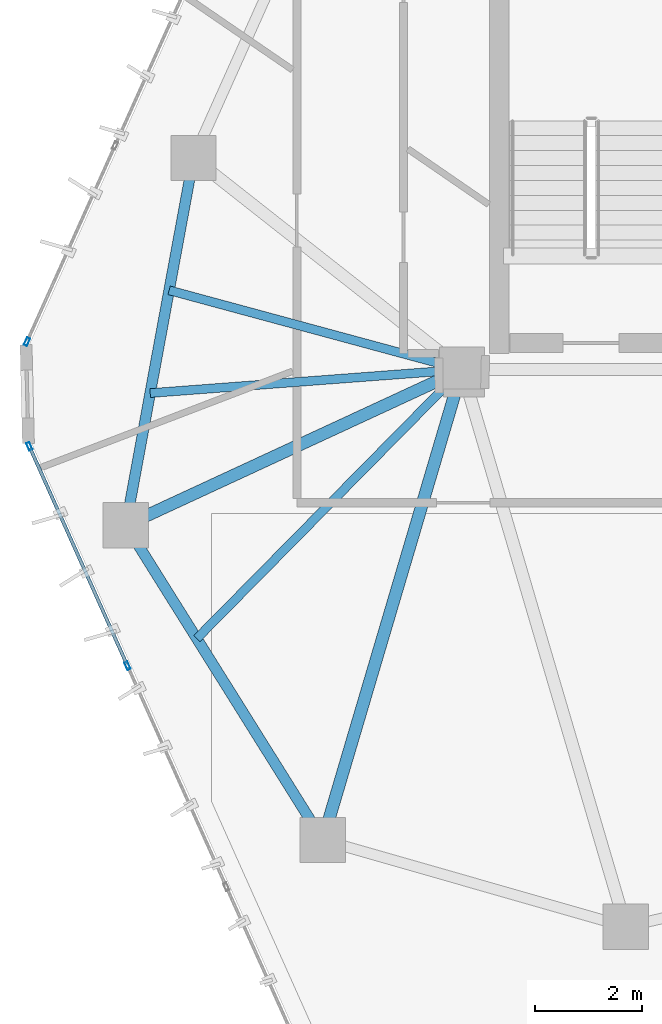
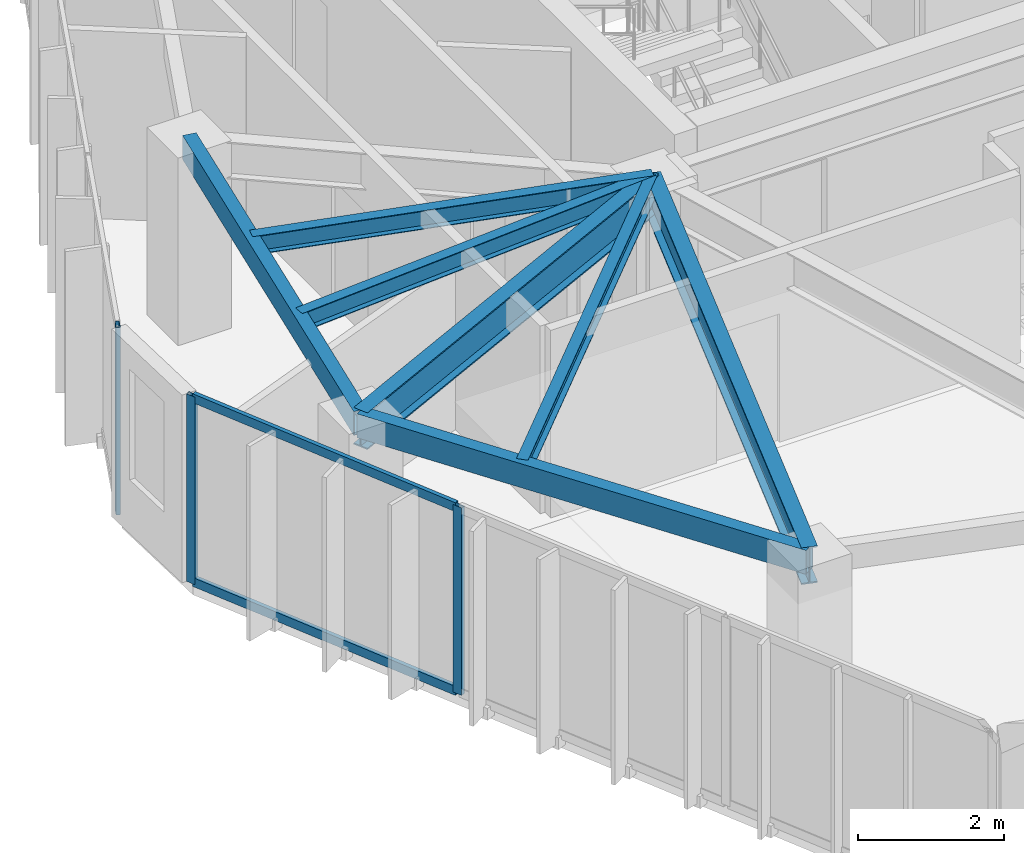
# One storey, part 4 of 20: 7 beams, 5 members, 2 elements without a shape of their own.
"""IFC4 building model written with IfcOpenShell, lengths in metres."""

from ifc_helpers import new_model, si_unit, direction, frame, origin, origin_2d, place, context, subcontext, project, spatial, hollow_rectangle, i_section, extrude, source, transform, mapped, material, layer, layer_set, material_profile, profile_set, type_object, type_shapes, element, aggregate, save


model = new_model("IFC4")

# Units and contexts
model_context = context("Model", 3, precision=1e-05, world=origin(), true_north=direction((0.0, 1.0)))
body_context = subcontext(model_context, "Body", "Model", "MODEL_VIEW")
ifc_project = project(units=[si_unit("LENGTHUNIT", "METRE"), si_unit("AREAUNIT", "SQUARE_METRE"), si_unit("VOLUMEUNIT", "CUBIC_METRE"), si_unit("PLANEANGLEUNIT", "RADIAN"), si_unit("MASSUNIT", "GRAM", prefix="KILO")], contexts=[model_context])

# Site, building, storey
site_placement = place(None, origin())
site = spatial("IfcSite", under=ifc_project, at=site_placement, CompositionType="ELEMENT")
building_placement = place(site_placement, origin())
building = spatial("IfcBuilding", under=site, at=building_placement, Name="Talar Marvaseh", CompositionType="ELEMENT")
storey_placement = place(building_placement, frame((0.0, 0.0, 278.199951171875)))
storey = spatial("IfcBuildingStorey", under=building, at=storey_placement, Name="L74", CompositionType="ELEMENT", Elevation=278.199951171875)

# Beams
ifc_material_1 = material(Name="Steel S355", Category="steel")
ifc_material_profile_1 = material_profile(ifc_material_1, hollow_rectangle(XDim=0.199951171875, YDim=0.39990234375, WallThickness=0.013916015625, at=origin_2d()), Name="RHS400x200x14")
ifc_profile_set_1 = profile_set([ifc_material_profile_1], Name="Steel S355")
beam_type_1 = type_object("IfcBeamType", Name="Zone 3 Perimeter Spandrel Beam RHS400x200x14", PredefinedType="SPANDREL", material=ifc_profile_set_1)
beam_1_placement = place(storey_placement, frame((12.388916015625, 22.576904296875, 2.93994140625), z_axis=(0.18106135948, 0.983471801377, 0.0), x_axis=(-0.983471801377, 0.18106135948, 0.0)))
element("IfcBeam", 1, at=beam_1_placement, inside=storey, type_object=beam_type_1, Name="L74 Zone 3 Perimeter Spandrel Beam RHS400x200x14", PredefinedType="SPANDREL", context=body_context, shape_type="SweptSolid", body=[
    extrude(hollow_rectangle(XDim=0.199951171875, YDim=0.39990234375, WallThickness=0.013916015625, at=origin_2d()), origin(), (0.0, 0.0, 1.0), 7.0087890625),
])
beam_2_placement = place(storey_placement, frame((16.0869140625, 16.66796875, 2.93994140625), z_axis=(-0.530505706813, 0.847681364098, 0.0), x_axis=(-0.847681364098, -0.530505706813, 0.0)))
element("IfcBeam", 2, at=beam_2_placement, inside=storey, type_object=beam_type_1, Name="L74 Zone 3 Perimeter Spandrel Beam RHS400x200x14", PredefinedType="SPANDREL", context=body_context, shape_type="SweptSolid", body=[
    extrude(hollow_rectangle(XDim=0.199951171875, YDim=0.39990234375, WallThickness=0.013916015625, at=origin_2d()), origin(), (0.0, 0.0, 1.0), 6.970703125),
])
ifc_material_profile_2 = material_profile(ifc_material_1, i_section(OverallWidth=0.166015625, OverallDepth=0.31298828125, WebThickness=0.006591796875, FlangeThickness=0.01123046875, at=origin_2d()), Name="W310x45")
ifc_profile_set_2 = profile_set([ifc_material_profile_2], Name="Steel S355")
beam_type_2 = type_object("IfcBeamType", Name="Zone 3 Secondary Floor Joist W310x45", PredefinedType="JOIST", material=ifc_profile_set_2)
beam_3_placement = place(storey_placement, frame((12.845703125, 25.05859375, 2.983642578125), z_axis=(0.997169535009, 0.075185892627, 0.0), x_axis=(-0.075185892627, 0.997169535009, 0.0)))
element("IfcBeam", 3, at=beam_3_placement, inside=storey, type_object=beam_type_2, Name="L74 Zone 3 Secondary Floor Joist W310x45", PredefinedType="JOIST", context=body_context, shape_type="SweptSolid", body=[
    extrude(i_section(OverallWidth=0.166015625, OverallDepth=0.31298828125, WebThickness=0.006591796875, FlangeThickness=0.01123046875, at=origin_2d()), origin(), (0.0, 0.0, 1.0), 5.870849609375),
])
beam_4_placement = place(storey_placement, frame((13.201171875, 26.988525390625, 2.983642578125), z_axis=(0.965258580671, -0.26129652206, 0.0), x_axis=(0.26129652206, 0.965258580671, 0.0)))
element("IfcBeam", 4, at=beam_4_placement, inside=storey, type_object=beam_type_2, Name="L74 Zone 3 Secondary Floor Joist W310x45", PredefinedType="JOIST", context=body_context, shape_type="SweptSolid", body=[
    extrude(i_section(OverallWidth=0.166015625, OverallDepth=0.31298828125, WebThickness=0.006591796875, FlangeThickness=0.01123046875, at=origin_2d()), origin(), (0.0, 0.0, 1.0), 5.69677734375),
])
beam_5_placement = place(storey_placement, frame((13.72021484375, 20.44970703125, 2.983642578125), z_axis=(0.702115238584, 0.712063334085, 0.0), x_axis=(-0.712063334085, 0.702115238584, 0.0)))
element("IfcBeam", 5, at=beam_5_placement, inside=storey, type_object=beam_type_2, Name="L74 Zone 3 Secondary Floor Joist W310x45", PredefinedType="JOIST", context=body_context, shape_type="SweptSolid", body=[
    extrude(i_section(OverallWidth=0.166015625, OverallDepth=0.31298828125, WebThickness=0.006591796875, FlangeThickness=0.01123046875, at=origin_2d()), origin(), (0.0, 0.0, 1.0), 7.092529296875),
])
ifc_material_profile_3 = material_profile(ifc_material_1, i_section(OverallWidth=0.22998046875, OverallDepth=0.616943359375, WebThickness=0.01318359375, FlangeThickness=0.022216796875, at=origin_2d()), Name="W610x140")
ifc_profile_set_3 = profile_set([ifc_material_profile_3], Name="Steel S355")
beam_type_3 = type_object("IfcBeamType", Name="Zone 4 Radial Floor Girder W610x140", PredefinedType="BEAM", material=ifc_profile_set_3)
beam_6_placement = place(storey_placement, frame((12.388916015625, 22.576904296875, 2.83154296875), z_axis=(0.907394527995, 0.420279871709, 0.0), x_axis=(-0.420279871709, 0.907394527995, 0.0)))
element("IfcBeam", 6, at=beam_6_placement, inside=storey, type_object=beam_type_3, Name="L74 Zone 4 Radial Floor Girder W610x140", PredefinedType="BEAM", context=body_context, shape_type="SweptSolid", body=[
    extrude(i_section(OverallWidth=0.22998046875, OverallDepth=0.616943359375, WebThickness=0.01318359375, FlangeThickness=0.022216796875, at=origin_2d()), origin(), (0.0, 0.0, 1.0), 6.955078125),
])
beam_7_placement = place(storey_placement, frame((16.0869140625, 16.66796875, 2.83154296875), z_axis=(0.283702937759, 0.958912218666, 0.0), x_axis=(-0.958912218666, 0.283702937759, 0.0)))
element("IfcBeam", 7, at=beam_7_placement, inside=storey, type_object=beam_type_3, Name="L74 Zone 4 Radial Floor Girder W610x140", PredefinedType="BEAM", context=body_context, shape_type="SweptSolid", body=[
    extrude(i_section(OverallWidth=0.22998046875, OverallDepth=0.616943359375, WebThickness=0.01318359375, FlangeThickness=0.022216796875, at=origin_2d()), origin(), (0.0, 0.0, 1.0), 9.21044921875),
])

# Curtain wall, members
ifc_material_2 = material(Name="Architectural Aluminium", Category="aluminium")
ifc_layer = layer(ifc_material_2, 0.179931640625)
ifc_layer_set = layer_set([ifc_layer], Name="Architectural Aluminium")
curtain_wall_type = type_object("IfcCurtainWallType", Name="Unitised High-Wind Sky Curtain Wall Z4", PredefinedType="NOTDEFINED", material=ifc_layer_set)
curtain_wall_1_placement = place(storey_placement, origin())
curtain_wall_1 = element("IfcCurtainWall", 8, at=curtain_wall_1_placement, inside=storey, type_object=curtain_wall_type, Name="L74 Unitised High-Wind Sky Curtain Wall Z4", PredefinedType="NOTDEFINED")
ifc_material_profile_4 = material_profile(ifc_material_2, hollow_rectangle(XDim=0.06494140625, YDim=0.14990234375, WallThickness=0.00390625, at=origin_2d()), Name="RHS150x65x4")
ifc_profile_set_4 = profile_set([ifc_material_profile_4], Name="Architectural Aluminium")
member_type_1 = type_object("IfcMemberType", Name="Unitised Curtain Wall Slim Transom RHS150x65x4", PredefinedType="USERDEFINED", material=ifc_profile_set_4)
shared_shape_1 = source(origin(), body_context, "Body", "SweptSolid", [
    extrude(hollow_rectangle(XDim=0.06494140625, YDim=0.14990234375, WallThickness=0.00390625, at=origin_2d()), origin(), (0.0, 0.0, 1.0), 4.447265625),
])
type_shapes(member_type_1, [shared_shape_1])
member_1_placement = place(storey_placement, frame((12.40625, 19.968994140625, 0.032470703125), z_axis=(-0.408261333725, 0.91286509594, 0.0), x_axis=(-0.91286509594, -0.408261333725, 0.0)))
member_1 = element("IfcMember", 9, at=member_1_placement, type_object=member_type_1, Name="CW-Z4 transom 3.1", ObjectType="TRANSOM", PredefinedType="USERDEFINED", context=body_context, shape_type="MappedRepresentation", body=[
    mapped(shared_shape_1, transform((0.0, 0.0, 0.0), x_axis=(1.0, 0.0, 0.0), y_axis=(0.0, 1.0, 0.0), z_axis=(0.0, 0.0, 1.0), scale=1.0)),
])
member_2_placement = place(storey_placement, frame((12.40625, 19.968994140625, 3.107666015625), z_axis=(-0.408261333725, 0.91286509594, 0.0), x_axis=(-0.91286509594, -0.408261333725, 0.0)))
member_2 = element("IfcMember", 10, at=member_2_placement, type_object=member_type_1, Name="CW-Z4 transom 3.2", ObjectType="TRANSOM", PredefinedType="USERDEFINED", context=body_context, shape_type="MappedRepresentation", body=[
    mapped(shared_shape_1, transform((0.0, 0.0, 0.0), x_axis=(1.0, 0.0, 0.0), y_axis=(0.0, 1.0, 0.0), z_axis=(0.0, 0.0, 1.0), scale=1.0)),
])
ifc_material_profile_5 = material_profile(ifc_material_2, hollow_rectangle(XDim=0.06494140625, YDim=0.14990234375, WallThickness=0.00390625, at=origin_2d()), Name="RHS150x65x4")
ifc_profile_set_5 = profile_set([ifc_material_profile_5], Name="Architectural Aluminium")
member_type_2 = type_object("IfcMemberType", Name="Unitised Curtain Wall Slim Mullion RHS150x65x4", PredefinedType="MULLION", material=ifc_profile_set_5)
shared_shape_2 = source(origin(), body_context, "Body", "SweptSolid", [
    extrude(hollow_rectangle(XDim=0.06494140625, YDim=0.14990234375, WallThickness=0.00390625, at=origin_2d()), origin(), (0.0, 0.0, 1.0), 3.14013671875),
])
type_shapes(member_type_2, [shared_shape_2])
member_3_placement = place(storey_placement, frame((12.41943359375, 19.939453125, 0.0), z_axis=(0.0, 0.0, 1.0), x_axis=(-0.912862421226, -0.408267314284, 0.0)))
member_3 = element("IfcMember", 11, at=member_3_placement, type_object=member_type_2, Name="CW-Z4 mullion 3", PredefinedType="MULLION", context=body_context, shape_type="MappedRepresentation", body=[
    mapped(shared_shape_2, transform((0.0, 0.0, 0.0), x_axis=(1.0, 0.0, 0.0), y_axis=(0.0, 1.0, 0.0), z_axis=(0.0, 0.0, 1.0), scale=1.0)),
])
member_4_placement = place(storey_placement, frame((10.5771484375, 24.05859375, 0.0), z_axis=(0.0, 0.0, 1.0), x_axis=(-0.912862421226, -0.408267314284, 0.0)))
member_4 = element("IfcMember", 12, at=member_4_placement, type_object=member_type_2, Name="CW-Z4 mullion 4", PredefinedType="MULLION", context=body_context, shape_type="MappedRepresentation", body=[
    mapped(shared_shape_2, transform((0.0, 0.0, 0.0), x_axis=(1.0, 0.0, 0.0), y_axis=(0.0, 1.0, 0.0), z_axis=(0.0, 0.0, 1.0), scale=1.0)),
])
aggregate(curtain_wall_1, [member_3, member_4, member_1, member_2])

# Curtain wall, member
curtain_wall_2_placement = place(storey_placement, origin())
curtain_wall_2 = element("IfcCurtainWall", 13, at=curtain_wall_2_placement, inside=storey, type_object=curtain_wall_type, Name="L74 Unitised High-Wind Sky Curtain Wall Z4", PredefinedType="NOTDEFINED")
member_5_placement = place(storey_placement, frame((10.53271484375, 26.02294921875, 0.0), z_axis=(0.0, 0.0, 1.0), x_axis=(-0.91224941563, 0.409635208061, 0.0)))
member_5 = element("IfcMember", 14, at=member_5_placement, type_object=member_type_2, Name="CW-Z4 mullion 1", PredefinedType="MULLION", context=body_context, shape_type="MappedRepresentation", body=[
    mapped(shared_shape_2, transform((0.0, 0.0, 0.0), x_axis=(1.0, 0.0, 0.0), y_axis=(0.0, 1.0, 0.0), z_axis=(0.0, 0.0, 1.0), scale=1.0)),
])
aggregate(curtain_wall_2, [member_5])

save(model, "model.ifc")
